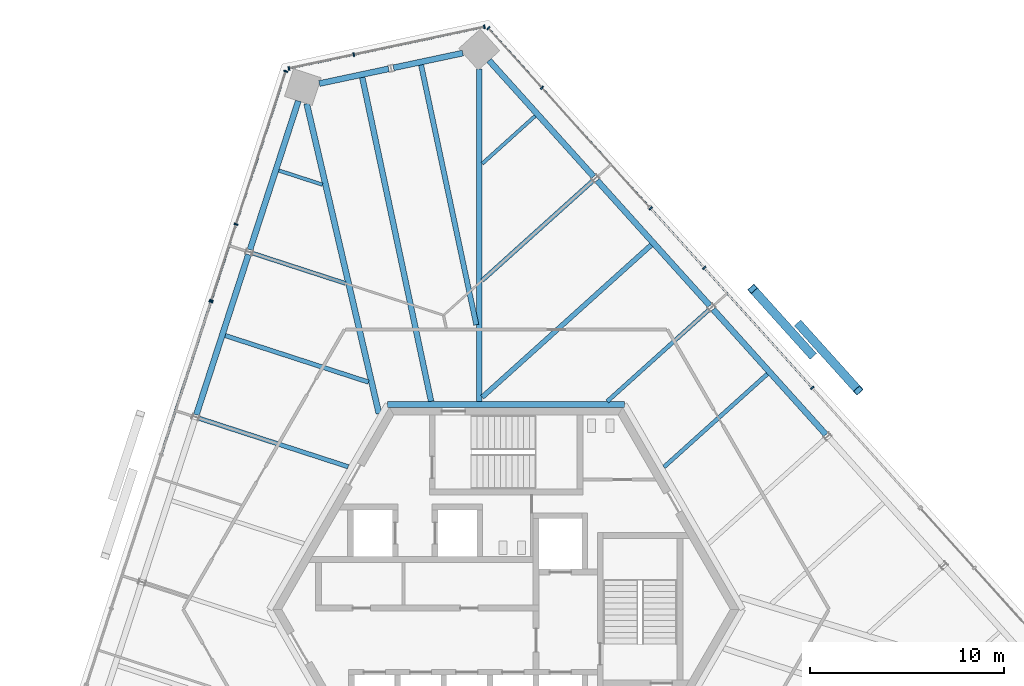
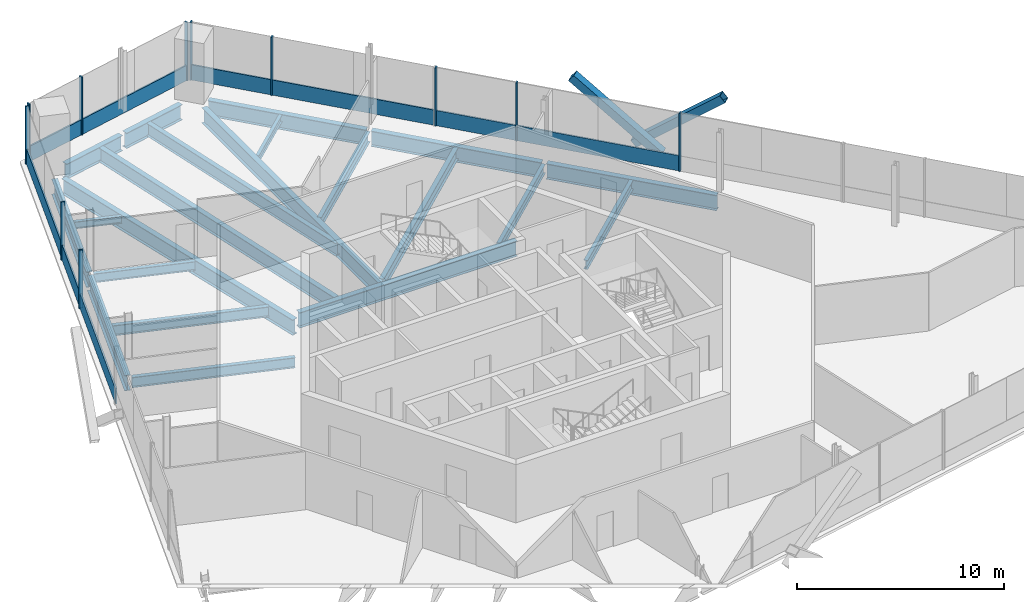
# One storey, part 7 of 15: 23 members, 21 beams, 5 elements without a shape of their own.
"""IFC4 building model written with IfcOpenShell, lengths in metres."""

from ifc_helpers import new_model, si_unit, direction, frame, origin, origin_2d, place, context, subcontext, project, spatial, rectangle, hollow_rectangle, i_section, extrude, source, transform, mapped, material, material_profile, profile_set, type_object, element, aggregate, save


model = new_model("IFC4")

# Units and contexts
model_context = context("Model", 3, precision=1e-05, world=origin(), true_north=direction((0.0, 1.0)))
body_context = subcontext(model_context, "Body", "Model", "MODEL_VIEW")
ifc_project = project(units=[si_unit("LENGTHUNIT", "METRE"), si_unit("AREAUNIT", "SQUARE_METRE"), si_unit("VOLUMEUNIT", "CUBIC_METRE"), si_unit("PLANEANGLEUNIT", "RADIAN"), si_unit("MASSUNIT", "GRAM", prefix="KILO")], contexts=[model_context])

# Site, building, storey
site_placement = place(None, origin())
site = spatial("IfcSite", under=ifc_project, at=site_placement, CompositionType="ELEMENT")
building_placement = place(site_placement, origin())
building = spatial("IfcBuilding", under=site, at=building_placement, Name="Triune Harvest Tower", CompositionType="ELEMENT")
storey_placement = place(building_placement, frame((0.0, 0.0, 277.5)))
storey = spatial("IfcBuildingStorey", under=building, at=storey_placement, Name="L73", CompositionType="ELEMENT", Elevation=277.5)

# Beams
ifc_material_1 = material(Name="Steel ASTM A992 Gr 50", Category="steel")
ifc_material_profile_1 = material_profile(ifc_material_1, i_section(OverallWidth=0.3046875, OverallDepth=0.914306640625, WebThickness=0.0166015625, FlangeThickness=0.02587890625, at=origin_2d()), Name="W36x160")
ifc_profile_set_1 = profile_set([ifc_material_profile_1], Name="Steel ASTM A992 Gr 50")
beam_type_1 = type_object("IfcBeamType", Name="CG-1 Core ring girder W36x160", PredefinedType="BEAM", material=ifc_profile_set_1)
shared_shape_1 = source(origin(), body_context, "Body", "SweptSolid", [
    extrude(i_section(OverallWidth=0.3046875, OverallDepth=0.914306640625, WebThickness=0.0166015625, FlangeThickness=0.02587890625, at=origin_2d()), origin(), (0.0, 0.0, 1.0), 12.17578125),
])
beam_1_placement = place(storey_placement, frame((6.087890625, 10.544677734375, -0.6171875), z_axis=(-1.0, 0.0, 0.0), x_axis=(0.0, -1.0, 0.0)))
element("IfcBeam", 1, at=beam_1_placement, inside=storey, type_object=beam_type_1, Name="beam/L73/CG2", PredefinedType="BEAM", context=body_context, shape_type="MappedRepresentation", body=[
    mapped(shared_shape_1, transform((0.0, 0.0, 0.0), scale=1.0)),
])
ifc_material_2 = material(Name="Steel ASTM A992 Gr 50", Category="steel")
ifc_material_profile_2 = material_profile(ifc_material_2, i_section(OverallWidth=0.3046875, OverallDepth=0.914306640625, WebThickness=0.0166015625, FlangeThickness=0.02587890625, at=origin_2d()), Name="W36x160")
ifc_profile_set_2 = profile_set([ifc_material_profile_2], Name="Steel ASTM A992 Gr 50")
beam_type_2 = type_object("IfcBeamType", Name="SB-1 Spandrel beam W36x160", PredefinedType="SPANDREL", material=ifc_profile_set_2)
shared_shape_2 = source(origin(), body_context, "Body", "SweptSolid", [
    extrude(i_section(OverallWidth=0.3046875, OverallDepth=0.914306640625, WebThickness=0.0166015625, FlangeThickness=0.02587890625, at=origin_2d()), origin(), (0.0, 0.0, 1.0), 8.0498046875),
])
for number, where, z_axis, x_axis, name in (
    (2, (4.511474609375, 22.25537109375, -0.6171875), (-0.669152382485, 0.743125217588, 0.0), (-0.743125217588, -0.669152382485, 0.0), "beam/L73/SB5"),
    (3, (-10.685791015625, 26.152099609375, -0.6171875), (-0.30902160762, -0.951055017348, 0.0), (0.951055017348, -0.30902160762, 0.0), "beam/L73/SB8"),
):
    element("IfcBeam", number, at=place(storey_placement, frame(where, z_axis=z_axis, x_axis=x_axis)), inside=storey, type_object=beam_type_2, Name=name, PredefinedType="SPANDREL", context=body_context, shape_type="MappedRepresentation", body=[
        mapped(shared_shape_2, transform((0.0, 0.0, 0.0), scale=1.0)),
    ])
shared_shape_3 = source(origin(), body_context, "Body", "SweptSolid", [
    extrude(i_section(OverallWidth=0.3046875, OverallDepth=0.914306640625, WebThickness=0.0166015625, FlangeThickness=0.02587890625, at=origin_2d()), origin(), (0.0, 0.0, 1.0), 8.671630859375),
])
beam_2_placement = place(storey_placement, frame((16.45947265625, 8.985595703125, -0.6171875), z_axis=(-0.669129593336, 0.743145737606, 0.0), x_axis=(-0.743145737606, -0.669129593336, 0.0)))
element("IfcBeam", 4, at=beam_2_placement, inside=storey, type_object=beam_type_2, Name="beam/L73/SB3", PredefinedType="SPANDREL", context=body_context, shape_type="MappedRepresentation", body=[
    mapped(shared_shape_3, transform((0.0, 0.0, 0.0), scale=1.0)),
])
shared_shape_4 = source(origin(), body_context, "Body", "SweptSolid", [
    extrude(i_section(OverallWidth=0.3046875, OverallDepth=0.914306640625, WebThickness=0.0166015625, FlangeThickness=0.02587890625, at=origin_2d()), origin(), (0.0, 0.0, 1.0), 8.67138671875),
])
for number, where, z_axis, x_axis, name in (
    (5, (10.4853515625, 15.62060546875, -0.6171875), (-0.669128044683, 0.743147132013, 0.0), (-0.743147132013, -0.669128044683, 0.0), "beam/L73/SB4"),
    (6, (-13.252685546875, 18.25244140625, -0.6171875), (-0.309022409974, -0.951054756643, 0.0), (0.951054756643, -0.309022409974, 0.0), "beam/L73/SB9"),
):
    element("IfcBeam", number, at=place(storey_placement, frame(where, z_axis=z_axis, x_axis=x_axis)), inside=storey, type_object=beam_type_2, Name=name, PredefinedType="SPANDREL", context=body_context, shape_type="MappedRepresentation", body=[
        mapped(shared_shape_4, transform((0.0, 0.0, 0.0), scale=1.0)),
    ])
shared_shape_5 = source(origin(), body_context, "Body", "SweptSolid", [
    extrude(i_section(OverallWidth=0.3046875, OverallDepth=0.914306640625, WebThickness=0.0166015625, FlangeThickness=0.02587890625, at=origin_2d()), origin(), (0.0, 0.0, 1.0), 3.645751953125),
])
beam_3_placement = place(storey_placement, frame((-2.223876953125, 28.61474609375, -0.6171875), z_axis=(-0.978145063506, -0.207923627178, 0.0), x_axis=(0.207923627178, -0.978145063506, 0.0)))
element("IfcBeam", 7, at=beam_3_placement, inside=storey, type_object=beam_type_2, Name="beam/L73/SB6", PredefinedType="SPANDREL", context=body_context, shape_type="MappedRepresentation", body=[
    mapped(shared_shape_5, transform((0.0, 0.0, 0.0), scale=1.0)),
])
shared_shape_6 = source(origin(), body_context, "Body", "SweptSolid", [
    extrude(i_section(OverallWidth=0.3046875, OverallDepth=0.914306640625, WebThickness=0.0166015625, FlangeThickness=0.02587890625, at=origin_2d()), origin(), (0.0, 0.0, 1.0), 3.6455078125),
])
beam_4_placement = place(storey_placement, frame((-6.041015625, 27.803466796875, -0.6171875), z_axis=(-0.978142168213, -0.207937247179, 0.0), x_axis=(0.207937247179, -0.978142168213, 0.0)))
element("IfcBeam", 8, at=beam_4_placement, inside=storey, type_object=beam_type_2, Name="beam/L73/SB7", PredefinedType="SPANDREL", context=body_context, shape_type="MappedRepresentation", body=[
    mapped(shared_shape_6, transform((0.0, 0.0, 0.0), scale=1.0)),
])
ifc_material_3 = material(Name="Steel ASTM A992 Gr 50", Category="steel")
ifc_material_profile_3 = material_profile(ifc_material_3, i_section(OverallWidth=0.3046875, OverallDepth=0.914306640625, WebThickness=0.0166015625, FlangeThickness=0.02587890625, at=origin_2d()), Name="W36x160")
ifc_profile_set_3 = profile_set([ifc_material_profile_3], Name="Steel ASTM A992 Gr 50")
beam_type_3 = type_object("IfcBeamType", Name="HG-3 Hip girder W36x160", PredefinedType="BEAM", material=ifc_profile_set_3)
shared_shape_7 = source(origin(), body_context, "Body", "SweptSolid", [
    extrude(i_section(OverallWidth=0.3046875, OverallDepth=0.914306640625, WebThickness=0.0166015625, FlangeThickness=0.02587890625, at=origin_2d()), origin(), (0.0, 0.0, 1.0), 17.088623046875),
])
beam_5_placement = place(storey_placement, frame((-1.376708984375, 27.78564453125, -0.6171875), z_axis=(0.0, -1.0, 0.0), x_axis=(1.0, 0.0, 0.0)))
element("IfcBeam", 9, at=beam_5_placement, inside=storey, type_object=beam_type_3, Name="beam/L73/HG2", PredefinedType="BEAM", context=body_context, shape_type="MappedRepresentation", body=[
    mapped(shared_shape_7, transform((0.0, 0.0, 0.0), scale=1.0)),
])
shared_shape_8 = source(origin(), body_context, "Body", "SweptSolid", [
    extrude(i_section(OverallWidth=0.3046875, OverallDepth=0.914306640625, WebThickness=0.0166015625, FlangeThickness=0.02587890625, at=origin_2d()), origin(), (0.0, 0.0, 1.0), 16.37060546875),
])
beam_6_placement = place(storey_placement, frame((-10.255126953125, 26.01220703125, -0.6171875), z_axis=(0.227026417792, -0.973888600213, 0.0), x_axis=(0.973888600213, 0.227026417792, 0.0)))
element("IfcBeam", 10, at=beam_6_placement, inside=storey, type_object=beam_type_3, Name="beam/L73/HG3", PredefinedType="BEAM", context=body_context, shape_type="MappedRepresentation", body=[
    mapped(shared_shape_8, transform((0.0, 0.0, 0.0), scale=1.0)),
])
ifc_material_4 = material(Name="Steel ASTM A992 Gr 50", Category="steel")
ifc_material_profile_4 = material_profile(ifc_material_4, i_section(OverallWidth=0.22900390625, OverallDepth=0.612060546875, WebThickness=0.011962890625, FlangeThickness=0.01953125, at=origin_2d()), Name="W24x84")
ifc_profile_set_4 = profile_set([ifc_material_profile_4], Name="Steel ASTM A992 Gr 50")
beam_type_4 = type_object("IfcBeamType", Name="JT-3 Floor joist W24x84", PredefinedType="JOIST", material=ifc_profile_set_4)
shared_shape_9 = source(origin(), body_context, "Body", "SweptSolid", [
    extrude(i_section(OverallWidth=0.22900390625, OverallDepth=0.612060546875, WebThickness=0.011962890625, FlangeThickness=0.01953125, at=origin_2d()), origin(), (0.0, 0.0, 1.0), 7.755126953125),
])
beam_7_placement = place(storey_placement, frame((-14.447509765625, 14.081787109375, -0.466064453125), z_axis=(0.951054888115, -0.309022005354, 0.0), x_axis=(0.309022005354, 0.951054888115, 0.0)))
element("IfcBeam", 11, at=beam_7_placement, inside=storey, type_object=beam_type_4, Name="beam/L73/JT14", PredefinedType="JOIST", context=body_context, shape_type="MappedRepresentation", body=[
    mapped(shared_shape_9, transform((0.0, 0.0, 0.0), scale=1.0)),
])
ifc_material_5 = material(Name="Steel ASTM A992 Gr 50", Category="steel")
ifc_material_profile_5 = material_profile(ifc_material_5, i_section(OverallWidth=0.2099609375, OverallDepth=0.535888671875, WebThickness=0.010986328125, FlangeThickness=0.017333984375, at=origin_2d()), Name="W21x68")
ifc_profile_set_5 = profile_set([ifc_material_profile_5], Name="Steel ASTM A992 Gr 50")
beam_type_5 = type_object("IfcBeamType", Name="JT-2 Floor joist W21x68", PredefinedType="JOIST", material=ifc_profile_set_5)
shared_shape_10 = source(origin(), body_context, "Body", "SweptSolid", [
    extrude(i_section(OverallWidth=0.2099609375, OverallDepth=0.535888671875, WebThickness=0.010986328125, FlangeThickness=0.017333984375, at=origin_2d()), origin(), (0.0, 0.0, 1.0), 7.155517578125),
])
beam_8_placement = place(storey_placement, frame((13.44482421875, 12.105712890625, -0.427978515625), z_axis=(-0.743139743978, -0.669136249892, 0.0), x_axis=(0.669136249892, -0.743139743978, 0.0)))
element("IfcBeam", 12, at=beam_8_placement, inside=storey, type_object=beam_type_5, Name="beam/L73/JT5", PredefinedType="JOIST", context=body_context, shape_type="MappedRepresentation", body=[
    mapped(shared_shape_10, transform((0.0, 0.0, 0.0), scale=1.0)),
])
shared_shape_11 = source(origin(), body_context, "Body", "SweptSolid", [
    extrude(i_section(OverallWidth=0.2099609375, OverallDepth=0.535888671875, WebThickness=0.010986328125, FlangeThickness=0.017333984375, at=origin_2d()), origin(), (0.0, 0.0, 1.0), 7.035400390625),
])
beam_9_placement = place(storey_placement, frame((10.437255859375, 15.404541015625, -0.427978515625), z_axis=(-0.743147458893, -0.669127681643, 0.0), x_axis=(0.669127681643, -0.743147458893, 0.0)))
element("IfcBeam", 13, at=beam_9_placement, inside=storey, type_object=beam_type_5, Name="beam/L73/JT6", PredefinedType="JOIST", context=body_context, shape_type="MappedRepresentation", body=[
    mapped(shared_shape_11, transform((0.0, 0.0, 0.0), scale=1.0)),
])
ifc_material_6 = material(Name="Steel ASTM A992 Gr 50", Category="steel")
ifc_material_profile_6 = material_profile(ifc_material_6, i_section(OverallWidth=0.253662109375, OverallDepth=0.683349609375, WebThickness=0.012451171875, FlangeThickness=0.01904296875, at=origin_2d()), Name="W27x94")
ifc_profile_set_6 = profile_set([ifc_material_profile_6], Name="Steel ASTM A992 Gr 50")
beam_type_6 = type_object("IfcBeamType", Name="JT-4 Floor joist W27x94", PredefinedType="JOIST", material=ifc_profile_set_6)
shared_shape_12 = source(origin(), body_context, "Body", "SweptSolid", [
    extrude(i_section(OverallWidth=0.253662109375, OverallDepth=0.683349609375, WebThickness=0.012451171875, FlangeThickness=0.01904296875, at=origin_2d()), origin(), (0.0, 0.0, 1.0), 11.70068359375),
])
beam_10_placement = place(storey_placement, frame((7.470947265625, 18.740478515625, -0.501708984375), z_axis=(-0.743153026809, -0.669121497745, 0.0), x_axis=(0.669121497745, -0.743153026809, 0.0)))
element("IfcBeam", 14, at=beam_10_placement, inside=storey, type_object=beam_type_6, Name="beam/L73/JT7", PredefinedType="JOIST", context=body_context, shape_type="MappedRepresentation", body=[
    mapped(shared_shape_12, transform((0.0, 0.0, 0.0), scale=1.0)),
])
shared_shape_13 = source(origin(), body_context, "Body", "SweptSolid", [
    extrude(i_section(OverallWidth=0.22900390625, OverallDepth=0.612060546875, WebThickness=0.011962890625, FlangeThickness=0.01953125, at=origin_2d()), origin(), (0.0, 0.0, 1.0), 7.6533203125),
])
beam_11_placement = place(storey_placement, frame((4.463134765625, 22.039306640625, -0.466064453125), z_axis=(-0.74314185307, -0.669133907537, 0.0), x_axis=(0.669133907537, -0.74314185307, 0.0)))
element("IfcBeam", 15, at=beam_11_placement, inside=storey, type_object=beam_type_4, Name="beam/L73/JT8", PredefinedType="JOIST", context=body_context, shape_type="MappedRepresentation", body=[
    mapped(shared_shape_13, transform((0.0, 0.0, 0.0), scale=1.0)),
])
ifc_material_7 = material(Name="Steel ASTM A992 Gr 50", Category="steel")
ifc_material_profile_7 = material_profile(ifc_material_7, i_section(OverallWidth=0.180908203125, OverallDepth=0.41650390625, WebThickness=0.010986328125, FlangeThickness=0.01806640625, at=origin_2d()), Name="W16x57")
ifc_profile_set_7 = profile_set([ifc_material_profile_7], Name="Steel ASTM A992 Gr 50")
beam_type_7 = type_object("IfcBeamType", Name="JT-1 Floor joist W16x57", PredefinedType="JOIST", material=ifc_profile_set_7)
shared_shape_14 = source(origin(), body_context, "Body", "SweptSolid", [
    extrude(i_section(OverallWidth=0.180908203125, OverallDepth=0.41650390625, WebThickness=0.010986328125, FlangeThickness=0.01806640625, at=origin_2d()), origin(), (0.0, 0.0, 1.0), 3.661865234375),
])
beam_12_placement = place(storey_placement, frame((1.496826171875, 25.37548828125, -0.368408203125), z_axis=(-0.743108471823, -0.669170978977, 0.0), x_axis=(0.669170978977, -0.743108471823, 0.0)))
element("IfcBeam", 16, at=beam_12_placement, inside=storey, type_object=beam_type_7, Name="beam/L73/JT9", PredefinedType="JOIST", context=body_context, shape_type="MappedRepresentation", body=[
    mapped(shared_shape_14, transform((0.0, 0.0, 0.0), scale=1.0)),
])
ifc_material_8 = material(Name="Steel ASTM A992 Gr 50", Category="steel")
ifc_material_profile_8 = material_profile(ifc_material_8, i_section(OverallWidth=0.2666015625, OverallDepth=0.7568359375, WebThickness=0.013916015625, FlangeThickness=0.019287109375, at=origin_2d()), Name="W30x108")
ifc_profile_set_8 = profile_set([ifc_material_profile_8], Name="Steel ASTM A992 Gr 50")
beam_type_8 = type_object("IfcBeamType", Name="JT-5 Floor joist W30x108", PredefinedType="JOIST", material=ifc_profile_set_8)
shared_shape_15 = source(origin(), body_context, "Body", "SweptSolid", [
    extrude(i_section(OverallWidth=0.2666015625, OverallDepth=0.7568359375, WebThickness=0.013916015625, FlangeThickness=0.019287109375, at=origin_2d()), origin(), (0.0, 0.0, 1.0), 13.66796875),
])
beam_13_placement = place(storey_placement, frame((-4.370849609375, 28.002685546875, -0.53857421875), z_axis=(0.207897850023, -0.978150542583, 0.0), x_axis=(0.978150542583, 0.207897850023, 0.0)))
element("IfcBeam", 17, at=beam_13_placement, inside=storey, type_object=beam_type_8, Name="beam/L73/JT10", PredefinedType="JOIST", context=body_context, shape_type="MappedRepresentation", body=[
    mapped(shared_shape_15, transform((0.0, 0.0, 0.0), scale=1.0)),
])
ifc_material_9 = material(Name="Steel ASTM A992 Gr 50", Category="steel")
ifc_material_profile_9 = material_profile(ifc_material_9, i_section(OverallWidth=0.2919921875, OverallDepth=0.8408203125, WebThickness=0.0146484375, FlangeThickness=0.021728515625, at=origin_2d()), Name="W33x130")
ifc_profile_set_9 = profile_set([ifc_material_profile_9], Name="Steel ASTM A992 Gr 50")
beam_type_9 = type_object("IfcBeamType", Name="JT-6 Floor joist W33x130", PredefinedType="JOIST", material=ifc_profile_set_9)
shared_shape_16 = source(origin(), body_context, "Body", "SweptSolid", [
    extrude(i_section(OverallWidth=0.2919921875, OverallDepth=0.8408203125, WebThickness=0.0146484375, FlangeThickness=0.021728515625, at=origin_2d()), origin(), (0.0, 0.0, 1.0), 17.034912109375),
])
beam_14_placement = place(storey_placement, frame((-7.396728515625, 27.359619140625, -0.580322265625), z_axis=(0.207911891923, -0.978147557988, 0.0), x_axis=(0.978147557988, 0.207911891923, 0.0)))
element("IfcBeam", 18, at=beam_14_placement, inside=storey, type_object=beam_type_9, Name="beam/L73/JT11", PredefinedType="JOIST", context=body_context, shape_type="MappedRepresentation", body=[
    mapped(shared_shape_16, transform((0.0, 0.0, 0.0), scale=1.0)),
])
shared_shape_17 = source(origin(), body_context, "Body", "SweptSolid", [
    extrude(i_section(OverallWidth=0.180908203125, OverallDepth=0.41650390625, WebThickness=0.010986328125, FlangeThickness=0.01806640625, at=origin_2d()), origin(), (0.0, 0.0, 1.0), 2.36474609375),
])
beam_15_placement = place(storey_placement, frame((-11.688720703125, 22.57275390625, -0.368408203125), z_axis=(0.951061378221, -0.309002030505, 0.0), x_axis=(0.309002030505, 0.951061378221, 0.0)))
element("IfcBeam", 19, at=beam_15_placement, inside=storey, type_object=beam_type_7, Name="beam/L73/JT12", PredefinedType="JOIST", context=body_context, shape_type="MappedRepresentation", body=[
    mapped(shared_shape_17, transform((0.0, 0.0, 0.0), scale=1.0)),
])
shared_shape_18 = source(origin(), body_context, "Body", "SweptSolid", [
    extrude(i_section(OverallWidth=0.2099609375, OverallDepth=0.535888671875, WebThickness=0.010986328125, FlangeThickness=0.017333984375, at=origin_2d()), origin(), (0.0, 0.0, 1.0), 5.0322265625),
])
beam_16_placement = place(storey_placement, frame((-13.04150390625, 18.318603515625, -0.427978515625), z_axis=(0.951062231031, -0.308999405674, 0.0), x_axis=(0.308999405674, 0.951062231031, 0.0)))
element("IfcBeam", 20, at=beam_16_placement, inside=storey, type_object=beam_type_5, Name="beam/L73/JT13", PredefinedType="JOIST", context=body_context, shape_type="MappedRepresentation", body=[
    mapped(shared_shape_18, transform((0.0, 0.0, 0.0), scale=1.0)),
])
shared_shape_19 = source(origin(), body_context, "Body", "SweptSolid", [
    extrude(i_section(OverallWidth=0.22900390625, OverallDepth=0.612060546875, WebThickness=0.011962890625, FlangeThickness=0.01953125, at=origin_2d()), origin(), (0.0, 0.0, 1.0), 8.07666015625),
])
beam_17_placement = place(storey_placement, frame((-15.80029296875, 9.82763671875, -0.466064453125), z_axis=(0.951056057917, -0.309018405114, 0.0), x_axis=(0.309018405114, 0.951056057917, 0.0)))
element("IfcBeam", 21, at=beam_17_placement, inside=storey, type_object=beam_type_4, Name="beam/L73/JT15", PredefinedType="JOIST", context=body_context, shape_type="MappedRepresentation", body=[
    mapped(shared_shape_19, transform((0.0, 0.0, 0.0), scale=1.0)),
])

# Members
ifc_material_10 = material(Name="Steel ASTM A572 Gr 50", Category="steel")
ifc_material_profile_10 = material_profile(ifc_material_10, hollow_rectangle(XDim=0.449951171875, YDim=0.449951171875, WallThickness=0.02490234375, at=origin_2d()), Name="Box 450x450x25")
ifc_profile_set_10 = profile_set([ifc_material_profile_10], Name="Steel ASTM A572 Gr 50")
member_type_1 = type_object("IfcMemberType", Name="BR-4 Brace Box 450x450x25", PredefinedType="BRACE", material=ifc_profile_set_10)
shared_shape_20 = source(origin(), body_context, "Body", "SweptSolid", [
    extrude(hollow_rectangle(XDim=0.449951171875, YDim=0.449951171875, WallThickness=0.02490234375, at=origin_2d()), origin(), (0.0, 0.0, 1.0), 5.789306640625),
])
for number, where, z_axis, x_axis, name in (
    (22, (15.7177734375, 13.113037109375, 0.0), (-0.524011132558, 0.581995625336, 0.621846785828), (-0.743157576749, -0.669116444365, 0.0), "brace/B7-F1/d1/6"),
    (23, (15.093017578125, 14.62890625, 0.0), (0.524011132558, -0.581995625336, 0.621846785828), (0.743157576749, 0.669116444365, 0.0), "brace/B7-F1/d2/6"),
):
    element("IfcMember", number, at=place(storey_placement, frame(where, z_axis=z_axis, x_axis=x_axis)), inside=storey, type_object=member_type_1, Name=name, PredefinedType="BRACE", context=body_context, shape_type="MappedRepresentation", body=[
        mapped(shared_shape_20, transform((0.0, 0.0, 0.0), scale=1.0)),
    ])

# Curtain wall, members
ifc_material_11 = material(Name="Aluminium bronze anodised", Category="aluminium")
curtain_wall_type_1 = type_object("IfcCurtainWallType", Name="CW-7 Tower stick curtain wall with insulated spandrel infill", PredefinedType="NOTDEFINED", material=ifc_material_11)
curtain_wall_1_placement = place(storey_placement, origin())
curtain_wall_1 = element("IfcCurtainWall", 24, at=curtain_wall_1_placement, inside=storey, type_object=curtain_wall_type_1, Name="CW-7 B7-F1 L73 run 1001")
ifc_material_12 = material(Name="Aluminium bronze anodised", Category="aluminium")
ifc_material_profile_11 = material_profile(ifc_material_12, rectangle(XDim=0.199951171875, YDim=0.074951171875, at=origin_2d()), Name="MU-1 mullion 75 x 200")
ifc_profile_set_11 = profile_set([ifc_material_profile_11], Name="Aluminium bronze anodised")
member_type_2 = type_object("IfcMemberType", Name="MU-1 mullion 75 x 200", PredefinedType="MULLION", material=ifc_profile_set_11)
shared_shape_21 = source(origin(), body_context, "Body", "SweptSolid", [
    extrude(rectangle(XDim=0.199951171875, YDim=0.074951171875, at=origin_2d()), origin(), (0.0, 0.0, 1.0), 3.43994140625),
])
member_1_placement = place(storey_placement, frame((15.75537109375, 11.39013671875, 0.0), z_axis=(0.0, 0.0, 1.0), x_axis=(-0.74314408674, -0.669131426809, 0.0)))
member_1 = element("IfcMember", 25, at=member_1_placement, type_object=member_type_2, Name="CW-7 mullion B7-F1 1001.3", PredefinedType="MULLION", context=body_context, shape_type="MappedRepresentation", body=[
    mapped(shared_shape_21, transform((0.0, 0.0, 0.0), scale=1.0)),
])
member_2_placement = place(storey_placement, frame((10.19384765625, 17.566650390625, 0.0), z_axis=(0.0, 0.0, 1.0), x_axis=(-0.74314408674, -0.669131426809, 0.0)))
member_2 = element("IfcMember", 26, at=member_2_placement, type_object=member_type_2, Name="CW-7 mullion B7-F1 1001.5", PredefinedType="MULLION", context=body_context, shape_type="MappedRepresentation", body=[
    mapped(shared_shape_21, transform((0.0, 0.0, 0.0), scale=1.0)),
])
member_3_placement = place(storey_placement, frame((7.438232421875, 20.627197265625, 0.0), z_axis=(0.0, 0.0, 1.0), x_axis=(-0.74314408674, -0.669131426809, 0.0)))
member_3 = element("IfcMember", 27, at=member_3_placement, type_object=member_type_2, Name="CW-7 mullion B7-F1 1001.6", PredefinedType="MULLION", context=body_context, shape_type="MappedRepresentation", body=[
    mapped(shared_shape_21, transform((0.0, 0.0, 0.0), scale=1.0)),
])

ifc_material_13 = material(Name="Aluminium bronze anodised", Category="aluminium")
curtain_wall_type_2 = type_object("IfcCurtainWallType", Name="CW-1 Tower stick curtain wall", PredefinedType="NOTDEFINED", material=ifc_material_13)
curtain_wall_2_placement = place(storey_placement, origin())
curtain_wall_2 = element("IfcCurtainWall", 28, at=curtain_wall_2_placement, inside=storey, type_object=curtain_wall_type_2, Name="CW-1 B7-F1 L73 run 2001")
member_4_placement = place(storey_placement, frame((1.8515625, 26.831787109375, 0.0), z_axis=(0.0, 0.0, 1.0), x_axis=(-0.743144053222, -0.669131464034, 0.0)))
member_4 = element("IfcMember", 29, at=member_4_placement, type_object=member_type_2, Name="CW-1 mullion B7-F1 2001.3", PredefinedType="MULLION", context=body_context, shape_type="MappedRepresentation", body=[
    mapped(shared_shape_21, transform((0.0, 0.0, 0.0), scale=1.0)),
])
member_5_placement = place(storey_placement, frame((-0.904052734375, 29.892333984375, 0.0), z_axis=(0.0, 0.0, 1.0), x_axis=(-0.743144053222, -0.669131464034, 0.0)))
member_5 = element("IfcMember", 30, at=member_5_placement, type_object=member_type_2, Name="CW-1 mullion B7-F1 2001.4", PredefinedType="MULLION", context=body_context, shape_type="MappedRepresentation", body=[
    mapped(shared_shape_21, transform((0.0, 0.0, 0.0), scale=1.0)),
])

curtain_wall_3_placement = place(storey_placement, origin())
curtain_wall_3 = element("IfcCurtainWall", 31, at=curtain_wall_3_placement, inside=storey, type_object=curtain_wall_type_2, Name="CW-1 B7-F2 L73 run 1")
member_6_placement = place(storey_placement, frame((-1.114013671875, 29.96044921875, 0.0), z_axis=(0.0, 0.0, 1.0), x_axis=(0.207904739307, -0.978149078297, 0.0)))
member_6 = element("IfcMember", 32, at=member_6_placement, type_object=member_type_2, Name="CW-1 mullion B7-F2 1.1", PredefinedType="MULLION", context=body_context, shape_type="MappedRepresentation", body=[
    mapped(shared_shape_21, transform((0.0, 0.0, 0.0), scale=1.0)),
])
member_7_placement = place(storey_placement, frame((-7.8291015625, 28.533203125, 0.0), z_axis=(0.0, 0.0, 1.0), x_axis=(0.207904739307, -0.978149078297, 0.0)))
member_7 = element("IfcMember", 33, at=member_7_placement, type_object=member_type_2, Name="CW-1 mullion B7-F2 1.3", PredefinedType="MULLION", context=body_context, shape_type="MappedRepresentation", body=[
    mapped(shared_shape_21, transform((0.0, 0.0, 0.0), scale=1.0)),
])
member_8_placement = place(storey_placement, frame((-11.168212890625, 27.823486328125, 0.0), z_axis=(0.0, 0.0, 1.0), x_axis=(0.207904739307, -0.978149078297, 0.0)))
member_8 = element("IfcMember", 34, at=member_8_placement, type_object=member_type_2, Name="CW-1 mullion B7-F2 1.4", PredefinedType="MULLION", context=body_context, shape_type="MappedRepresentation", body=[
    mapped(shared_shape_21, transform((0.0, 0.0, 0.0), scale=1.0)),
])

curtain_wall_4_placement = place(storey_placement, origin())
curtain_wall_4 = element("IfcCurtainWall", 35, at=curtain_wall_4_placement, inside=storey, type_object=curtain_wall_type_2, Name="CW-1 B7-F3 L73 run 1")
member_9_placement = place(storey_placement, frame((-11.332275390625, 27.67578125, 0.0), z_axis=(0.0, 0.0, 1.0), x_axis=(0.951057715783, -0.309013302707, 0.0)))
member_9 = element("IfcMember", 36, at=member_9_placement, type_object=member_type_2, Name="CW-1 mullion B7-F3 1.1", PredefinedType="MULLION", context=body_context, shape_type="MappedRepresentation", body=[
    mapped(shared_shape_21, transform((0.0, 0.0, 0.0), scale=1.0)),
])
member_10_placement = place(storey_placement, frame((-13.88916015625, 19.806640625, 0.0), z_axis=(0.0, 0.0, 1.0), x_axis=(0.951057715783, -0.309013302707, 0.0)))
member_10 = element("IfcMember", 37, at=member_10_placement, type_object=member_type_2, Name="CW-1 mullion B7-F3 1.3", PredefinedType="MULLION", context=body_context, shape_type="MappedRepresentation", body=[
    mapped(shared_shape_21, transform((0.0, 0.0, 0.0), scale=1.0)),
])
member_11_placement = place(storey_placement, frame((-15.16162109375, 15.889892578125, 0.0), z_axis=(0.0, 0.0, 1.0), x_axis=(0.951057715783, -0.309013302707, 0.0)))
member_11 = element("IfcMember", 38, at=member_11_placement, type_object=member_type_2, Name="CW-1 mullion B7-F3 1.4", PredefinedType="MULLION", context=body_context, shape_type="MappedRepresentation", body=[
    mapped(shared_shape_21, transform((0.0, 0.0, 0.0), scale=1.0)),
])

# Curtain wall, member
curtain_wall_5_placement = place(storey_placement, origin())
curtain_wall_5 = element("IfcCurtainWall", 39, at=curtain_wall_5_placement, inside=storey, type_object=curtain_wall_type_1, Name="CW-7 B7-F3 L73 run 1001")
member_12_placement = place(storey_placement, frame((-15.184814453125, 15.818603515625, 0.0), z_axis=(0.0, 0.0, 1.0), x_axis=(0.951055533932, -0.309020017761, 0.0)))
member_12 = element("IfcMember", 40, at=member_12_placement, type_object=member_type_2, Name="CW-7 mullion B7-F3 1001.1", PredefinedType="MULLION", context=body_context, shape_type="MappedRepresentation", body=[
    mapped(shared_shape_21, transform((0.0, 0.0, 0.0), scale=1.0)),
])

# Member
ifc_material_14 = material(Name="Aluminium bronze anodised", Category="aluminium")
ifc_material_profile_12 = material_profile(ifc_material_14, rectangle(XDim=0.090087890625, YDim=0.89990234375, at=origin_2d()), Name="TR-1 transom 90 x 900")
ifc_profile_set_12 = profile_set([ifc_material_profile_12], Name="Aluminium bronze anodised")
member_type_3 = type_object("IfcMemberType", Name="TR-1 transom 90 x 900", PredefinedType="USERDEFINED", material=ifc_profile_set_12)
shared_shape_22 = source(origin(), body_context, "Body", "SweptSolid", [
    extrude(rectangle(XDim=0.090087890625, YDim=0.89990234375, at=origin_2d()), origin(), (0.0, 0.0, 1.0), 6.7900390625),
])
member_13_placement = place(storey_placement, frame((-1.15087890625, 29.95263671875, 0.449951171875), z_axis=(-0.978150442975, -0.207898318677, 0.0), x_axis=(0.207898318677, -0.978150442975, 0.0)))
member_13 = element("IfcMember", 41, at=member_13_placement, type_object=member_type_3, Name="CW-1 transom B7-F2 1.1", ObjectType="TRANSOM", PredefinedType="USERDEFINED", context=body_context, shape_type="MappedRepresentation", body=[
    mapped(shared_shape_22, transform((0.0, 0.0, 0.0), scale=1.0)),
])

shared_shape_23 = source(origin(), body_context, "Body", "SweptSolid", [
    extrude(rectangle(XDim=0.090087890625, YDim=0.89990234375, at=origin_2d()), origin(), (0.0, 0.0, 1.0), 3.3388671875),
])
member_14_placement = place(storey_placement, frame((-7.86572265625, 28.525390625, 0.449951171875), z_axis=(-0.978153089547, -0.207885866306, 0.0), x_axis=(0.207885866306, -0.978153089547, 0.0)))
member_14 = element("IfcMember", 42, at=member_14_placement, type_object=member_type_3, Name="CW-1 transom B7-F2 1.2", ObjectType="TRANSOM", PredefinedType="USERDEFINED", context=body_context, shape_type="MappedRepresentation", body=[
    mapped(shared_shape_23, transform((0.0, 0.0, 0.0), scale=1.0)),
])

aggregate(curtain_wall_3, [member_6, member_7, member_8, member_13, member_14])

shared_shape_24 = source(origin(), body_context, "Body", "SweptSolid", [
    extrude(rectangle(XDim=0.090087890625, YDim=0.89990234375, at=origin_2d()), origin(), (0.0, 0.0, 1.0), 8.198974609375),
])
member_15_placement = place(storey_placement, frame((7.363037109375, 20.7109375, 0.449951171875), z_axis=(-0.669140740537, 0.743135700497, 0.0), x_axis=(-0.743135700497, -0.669140740537, 0.0)))
member_15 = element("IfcMember", 43, at=member_15_placement, type_object=member_type_3, Name="CW-1 transom B7-F1 2001.1", ObjectType="TRANSOM", PredefinedType="USERDEFINED", context=body_context, shape_type="MappedRepresentation", body=[
    mapped(shared_shape_24, transform((0.0, 0.0, 0.0), scale=1.0)),
])

member_16_placement = place(storey_placement, frame((-11.343994140625, 27.64013671875, 0.449951171875), z_axis=(-0.308991809103, -0.951064699117, 0.0), x_axis=(0.951064699117, -0.308991809103, 0.0)))
member_16 = element("IfcMember", 44, at=member_16_placement, type_object=member_type_3, Name="CW-1 transom B7-F3 1.1", ObjectType="TRANSOM", PredefinedType="USERDEFINED", context=body_context, shape_type="MappedRepresentation", body=[
    mapped(shared_shape_24, transform((0.0, 0.0, 0.0), scale=1.0)),
])

shared_shape_25 = source(origin(), body_context, "Body", "SweptSolid", [
    extrude(rectangle(XDim=0.090087890625, YDim=0.89990234375, at=origin_2d()), origin(), (0.0, 0.0, 1.0), 4.043212890625),
])
member_17_placement = place(storey_placement, frame((10.168701171875, 17.5947265625, 0.449951171875), z_axis=(-0.669121516472, 0.743153009947, 0.0), x_axis=(-0.743153009947, -0.669121516472, 0.0)))
member_17 = element("IfcMember", 45, at=member_17_placement, type_object=member_type_3, Name="CW-7 transom B7-F1 1001.3", ObjectType="TRANSOM", PredefinedType="USERDEFINED", context=body_context, shape_type="MappedRepresentation", body=[
    mapped(shared_shape_25, transform((0.0, 0.0, 0.0), scale=1.0)),
])

member_18_placement = place(storey_placement, frame((1.826416015625, 26.859619140625, 0.449951171875), z_axis=(-0.669091490458, 0.743180043729, 0.0), x_axis=(-0.743180043729, -0.669091490458, 0.0)))
member_18 = element("IfcMember", 46, at=member_18_placement, type_object=member_type_3, Name="CW-1 transom B7-F1 2001.2", ObjectType="TRANSOM", PredefinedType="USERDEFINED", context=body_context, shape_type="MappedRepresentation", body=[
    mapped(shared_shape_25, transform((0.0, 0.0, 0.0), scale=1.0)),
])

aggregate(curtain_wall_2, [member_4, member_5, member_15, member_18])

shared_shape_26 = source(origin(), body_context, "Body", "SweptSolid", [
    extrude(rectangle(XDim=0.090087890625, YDim=0.89990234375, at=origin_2d()), origin(), (0.0, 0.0, 1.0), 8.19921875),
])
member_19_placement = place(storey_placement, frame((-15.196533203125, 15.782958984375, 0.449951171875), z_axis=(-0.309018742385, -0.951055948331, 0.0), x_axis=(0.951055948331, -0.309018742385, 0.0)))
member_19 = element("IfcMember", 47, at=member_19_placement, type_object=member_type_3, Name="CW-7 transom B7-F3 1001.1", ObjectType="TRANSOM", PredefinedType="USERDEFINED", context=body_context, shape_type="MappedRepresentation", body=[
    mapped(shared_shape_26, transform((0.0, 0.0, 0.0), scale=1.0)),
])

aggregate(curtain_wall_5, [member_12, member_19])

shared_shape_27 = source(origin(), body_context, "Body", "SweptSolid", [
    extrude(rectangle(XDim=0.090087890625, YDim=0.89990234375, at=origin_2d()), origin(), (0.0, 0.0, 1.0), 4.04345703125),
])
member_20_placement = place(storey_placement, frame((-13.900634765625, 19.77099609375, 0.449951171875), z_axis=(-0.309027363751, -0.951053147018, 0.0), x_axis=(0.951053147018, -0.309027363751, 0.0)))
member_20 = element("IfcMember", 48, at=member_20_placement, type_object=member_type_3, Name="CW-1 transom B7-F3 1.2", ObjectType="TRANSOM", PredefinedType="USERDEFINED", context=body_context, shape_type="MappedRepresentation", body=[
    mapped(shared_shape_27, transform((0.0, 0.0, 0.0), scale=1.0)),
])

aggregate(curtain_wall_4, [member_9, member_10, member_11, member_16, member_20])

shared_shape_28 = source(origin(), body_context, "Body", "SweptSolid", [
    extrude(rectangle(XDim=0.090087890625, YDim=0.89990234375, at=origin_2d()), origin(), (0.0, 0.0, 1.0), 8.236328125),
])
member_21_placement = place(storey_placement, frame((15.730224609375, 11.41796875, 0.449951171875), z_axis=(-0.669130118621, 0.743145264638, 0.0), x_axis=(-0.743145264638, -0.669130118621, 0.0)))
member_21 = element("IfcMember", 49, at=member_21_placement, type_object=member_type_3, Name="CW-7 transom B7-F1 1001.2", ObjectType="TRANSOM", PredefinedType="USERDEFINED", context=body_context, shape_type="MappedRepresentation", body=[
    mapped(shared_shape_28, transform((0.0, 0.0, 0.0), scale=1.0)),
])

aggregate(curtain_wall_1, [member_1, member_2, member_3, member_21, member_17])

save(model, "model.ifc")
